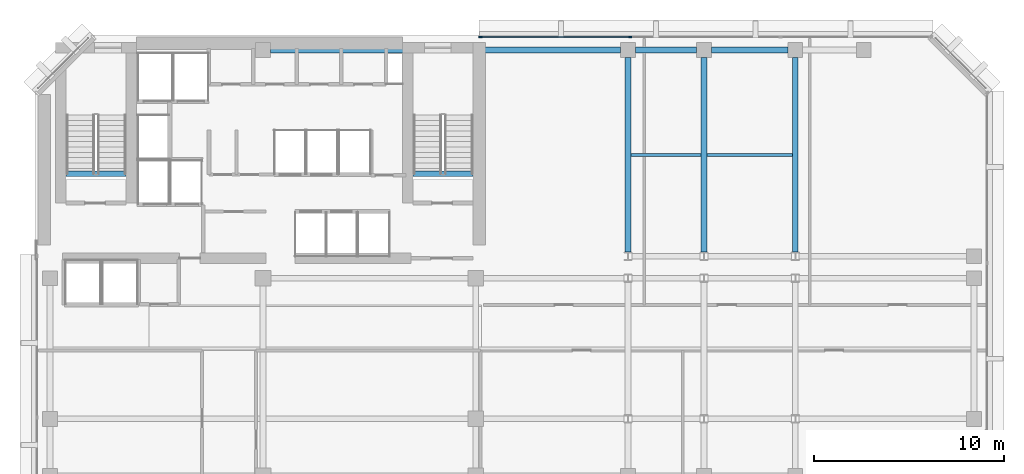
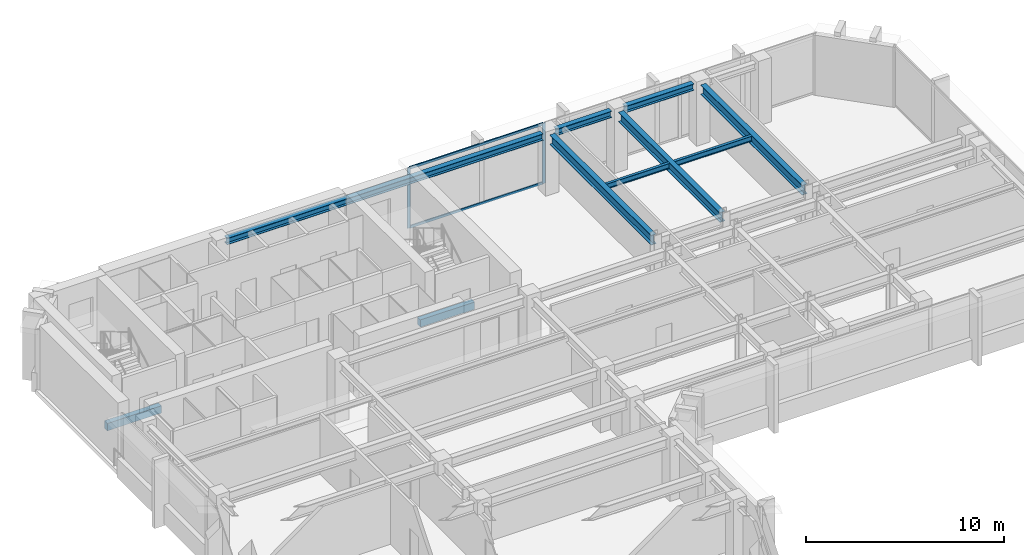
# One storey, part 4 of 12: 10 beams, 4 members, 1 element without a shape of its own.
"""IFC4 building model written with IfcOpenShell, lengths in metres."""

from ifc_helpers import new_model, si_unit, direction, frame, origin, origin_2d, place, context, subcontext, project, spatial, rectangle, i_section, extrude, material, layer, layer_set, material_profile, profile_set, type_object, element, aggregate, save


model = new_model("IFC4")

# Units and contexts
model_context = context("Model", 3, precision=1e-05, world=origin(), true_north=direction((0.0, 1.0)))
body_context = subcontext(model_context, "Body", "Model", "MODEL_VIEW")
ifc_project = project(units=[si_unit("LENGTHUNIT", "METRE"), si_unit("AREAUNIT", "SQUARE_METRE"), si_unit("VOLUMEUNIT", "CUBIC_METRE"), si_unit("PLANEANGLEUNIT", "RADIAN"), si_unit("MASSUNIT", "GRAM", prefix="KILO")], contexts=[model_context])

# Site, building, storey
site_placement = place(None, origin())
site = spatial("IfcSite", under=ifc_project, at=site_placement, CompositionType="ELEMENT")
building_placement = place(site_placement, origin())
building = spatial("IfcBuilding", under=site, at=building_placement, Name="Kefirva Bronze Tower", CompositionType="ELEMENT")
storey_placement = place(building_placement, frame((0.0, 0.0, 203.280029296875)))
storey = spatial("IfcBuildingStorey", under=building, at=storey_placement, Name="L49", CompositionType="ELEMENT", Elevation=203.280029296875)

# Curtain wall, members
ifc_material_1 = material(Name="Bronze anodised aluminium", Category="aluminium")
ifc_layer = layer(ifc_material_1, 0.179931640625, Name="Bronze anodised aluminium")
ifc_layer_set = layer_set([ifc_layer], Name="Bronze anodised aluminium")
curtain_wall_type = type_object("IfcCurtainWallType", Name="Unitised Bronze Ribbon Curtain Wall Zone 3", PredefinedType="USERDEFINED", material=ifc_layer_set)
curtain_wall_placement = place(storey_placement, origin())
curtain_wall = element("IfcCurtainWall", 1, at=curtain_wall_placement, inside=storey, type_object=curtain_wall_type, Name="L49 Curtain Wall 4", ObjectType="UNITISED CURTAIN WALL", PredefinedType="USERDEFINED")
ifc_material_profile_1 = material_profile(ifc_material_1, rectangle(XDim=0.074951171875, YDim=0.179931640625, at=origin_2d()), Name="ALU 75x180")
ifc_profile_set_1 = profile_set([ifc_material_profile_1], Name="Bronze anodised aluminium")
member_type_1 = type_object("IfcMemberType", Name="Bronze Mullion 75x180", PredefinedType="MULLION", material=ifc_profile_set_1)
member_1_placement = place(storey_placement, frame((31.318359375, 45.8798828125, 0.0), z_axis=(0.0, 0.0, 1.0), x_axis=(0.0, -1.0, 0.0)))
member_1 = element("IfcMember", 2, at=member_1_placement, type_object=member_type_1, Name="CW-03 mullion 3", PredefinedType="MULLION", context=body_context, shape_type="SweptSolid", body=[
    extrude(rectangle(XDim=0.074951171875, YDim=0.179931640625, at=origin_2d()), origin(), (0.0, 0.0, 1.0), 3.7099609375),
])
member_2_placement = place(storey_placement, frame((23.4423828125, 45.8798828125, 0.0), z_axis=(0.0, 0.0, 1.0), x_axis=(0.0, -1.0, 0.0)))
member_2 = element("IfcMember", 3, at=member_2_placement, type_object=member_type_1, Name="CW-03 mullion 4", PredefinedType="MULLION", context=body_context, shape_type="SweptSolid", body=[
    extrude(rectangle(XDim=0.074951171875, YDim=0.179931640625, at=origin_2d()), origin(), (0.0, 0.0, 1.0), 3.7099609375),
])
ifc_material_profile_2 = material_profile(ifc_material_1, rectangle(XDim=0.074951171875, YDim=0.14990234375, at=origin_2d()), Name="ALU 75x150")
ifc_profile_set_2 = profile_set([ifc_material_profile_2], Name="Bronze anodised aluminium")
member_type_2 = type_object("IfcMemberType", Name="Bronze Transom 75x150", PredefinedType="USERDEFINED", material=ifc_profile_set_2)
member_3_placement = place(storey_placement, frame((31.28076171875, 45.8798828125, 0.037353515625), z_axis=(-1.0, 0.0, 0.0), x_axis=(0.0, -1.0, 0.0)))
member_3 = element("IfcMember", 4, at=member_3_placement, type_object=member_type_2, Name="CW-03 transom 3.1", ObjectType="TRANSOM", PredefinedType="USERDEFINED", context=body_context, shape_type="SweptSolid", body=[
    extrude(rectangle(XDim=0.074951171875, YDim=0.14990234375, at=origin_2d()), origin(), (0.0, 0.0, 1.0), 7.80078125),
])
member_4_placement = place(storey_placement, frame((31.28076171875, 45.8798828125, 3.67236328125), z_axis=(-1.0, 0.0, 0.0), x_axis=(0.0, -1.0, 0.0)))
member_4 = element("IfcMember", 5, at=member_4_placement, type_object=member_type_2, Name="CW-03 transom 3.2", ObjectType="TRANSOM", PredefinedType="USERDEFINED", context=body_context, shape_type="SweptSolid", body=[
    extrude(rectangle(XDim=0.074951171875, YDim=0.14990234375, at=origin_2d()), origin(), (0.0, 0.0, 1.0), 7.80078125),
])
aggregate(curtain_wall, [member_1, member_2, member_3, member_4])

# Beams
ifc_material_2 = material(Name="Concrete C50/60", Category="concrete")
ifc_material_profile_3 = material_profile(ifc_material_2, rectangle(XDim=0.300048828125, YDim=0.449951171875, at=origin_2d()), Name="RC 300x450")
ifc_profile_set_3 = profile_set([ifc_material_profile_3], Name="Concrete C50/60")
beam_type_1 = type_object("IfcBeamType", Name="RC Stair Trimmer Beam 300x450", PredefinedType="BEAM", material=ifc_profile_set_3)
beam_1_placement = place(storey_placement, frame((1.64501953125, 38.699951171875, -0.22509765625), z_axis=(1.0, 0.0, 0.0), x_axis=(0.0, 1.0, 0.0)))
element("IfcBeam", 6, at=beam_1_placement, inside=storey, type_object=beam_type_1, Name="L49 Stair 1 Landing Trimmer Beam", PredefinedType="BEAM", context=body_context, shape_type="SweptSolid", body=[
    extrude(rectangle(XDim=0.300048828125, YDim=0.449951171875, at=origin_2d()), origin(), (0.0, 0.0, 1.0), 3.14990234375),
])
beam_2_placement = place(storey_placement, frame((19.89501953125, 38.699951171875, -0.22509765625), z_axis=(1.0, 0.0, 0.0), x_axis=(0.0, 1.0, 0.0)))
element("IfcBeam", 7, at=beam_2_placement, inside=storey, type_object=beam_type_1, Name="L49 Stair 2 Landing Trimmer Beam", PredefinedType="BEAM", context=body_context, shape_type="SweptSolid", body=[
    extrude(rectangle(XDim=0.300048828125, YDim=0.449951171875, at=origin_2d()), origin(), (0.0, 0.0, 1.0), 3.159912109375),
])
ifc_material_3 = material(Name="Steel S355", Category="steel")
ifc_material_profile_4 = material_profile(ifc_material_3, i_section(OverallWidth=0.159912109375, OverallDepth=0.330078125, WebThickness=0.007568359375, FlangeThickness=0.011474609375, at=origin_2d()), Name="IPE 330")
ifc_profile_set_4 = profile_set([ifc_material_profile_4], Name="Steel S355")
beam_type_2 = type_object("IfcBeamType", Name="Steel Floor Joist IPE 330", PredefinedType="JOIST", material=ifc_profile_set_4)
beam_3_placement = place(storey_placement, frame((31.35009765625, 39.688720703125, 3.544921875), z_axis=(1.0, 0.0, 0.0), x_axis=(0.0, 1.0, 0.0)))
element("IfcBeam", 8, at=beam_3_placement, inside=storey, type_object=beam_type_2, Name="L49 JST-L49-31-396", PredefinedType="JOIST", context=body_context, shape_type="SweptSolid", body=[
    extrude(i_section(OverallWidth=0.159912109375, OverallDepth=0.330078125, WebThickness=0.007568359375, FlangeThickness=0.011474609375, at=origin_2d()), origin(), (0.0, 0.0, 1.0), 3.699951171875),
])
beam_4_placement = place(storey_placement, frame((35.35009765625, 39.688720703125, 3.544921875), z_axis=(1.0, 0.0, 0.0), x_axis=(0.0, 1.0, 0.0)))
element("IfcBeam", 9, at=beam_4_placement, inside=storey, type_object=beam_type_2, Name="L49 JST-L49-35-396", PredefinedType="JOIST", context=body_context, shape_type="SweptSolid", body=[
    extrude(i_section(OverallWidth=0.159912109375, OverallDepth=0.330078125, WebThickness=0.007568359375, FlangeThickness=0.011474609375, at=origin_2d()), origin(), (0.0, 0.0, 1.0), 4.5),
])
ifc_material_profile_5 = material_profile(ifc_material_3, i_section(OverallWidth=0.300048828125, OverallDepth=0.60009765625, WebThickness=0.015380859375, FlangeThickness=0.030029296875, at=origin_2d()), Name="HEB 600")
ifc_profile_set_5 = profile_set([ifc_material_profile_5], Name="Steel S355")
beam_type_3 = type_object("IfcBeamType", Name="Steel Girder HEB 600", PredefinedType="USERDEFINED", material=ifc_profile_set_5)
for number, where, z_axis, x_axis, name in (
    (10, (31.199951171875, 34.5673828125, 3.409912109375), (0.0, 1.0, 0.0), (-1.0, 0.0, 0.0), "L49 BM-L49-NS-312-34"),
    (11, (35.199951171875, 34.5673828125, 3.409912109375), (0.0, 1.0, 0.0), (-1.0, 0.0, 0.0), "L49 BM-L49-NS-352-34"),
    (12, (40.0, 34.5673828125, 3.409912109375), (0.0, 1.0, 0.0), (-1.0, 0.0, 0.0), "L49 BM-L49-NS-400-34"),
):
    element("IfcBeam", number, at=place(storey_placement, frame(where, z_axis=z_axis, x_axis=x_axis)), inside=storey, type_object=beam_type_3, Name=name, ObjectType="GIRDER", PredefinedType="USERDEFINED", context=body_context, shape_type="SweptSolid", body=[
        extrude(i_section(OverallWidth=0.300048828125, OverallDepth=0.60009765625, WebThickness=0.015380859375, FlangeThickness=0.030029296875, at=origin_2d()), origin(), (0.0, 0.0, 1.0), 10.24267578125),
    ])
ifc_material_profile_6 = material_profile(ifc_material_3, i_section(OverallWidth=0.300048828125, OverallDepth=0.39990234375, WebThickness=0.013427734375, FlangeThickness=0.02392578125, at=origin_2d()), Name="HEB 400")
ifc_profile_set_6 = profile_set([ifc_material_profile_6], Name="Steel S355")
beam_type_4 = type_object("IfcBeamType", Name="Steel Spandrel HEB 400 Ext", PredefinedType="SPANDREL", material=ifc_profile_set_6)
beam_5_placement = place(storey_placement, frame((12.389892578125, 45.199951171875, 3.510009765625), z_axis=(1.0, 0.0, 0.0), x_axis=(0.0, 1.0, 0.0)))
element("IfcBeam", 13, at=beam_5_placement, inside=storey, type_object=beam_type_4, Name="L49 BM-L49-EW-12-452", PredefinedType="SPANDREL", context=body_context, shape_type="SweptSolid", body=[
    extrude(i_section(OverallWidth=0.300048828125, OverallDepth=0.39990234375, WebThickness=0.013427734375, FlangeThickness=0.02392578125, at=origin_2d()), origin(), (0.0, 0.0, 1.0), 18.420166015625),
])
beam_6_placement = place(storey_placement, frame((31.590087890625, 45.199951171875, 3.510009765625), z_axis=(1.0, 0.0, 0.0), x_axis=(0.0, 1.0, 0.0)))
element("IfcBeam", 14, at=beam_6_placement, inside=storey, type_object=beam_type_4, Name="L49 BM-L49-EW-31-452", PredefinedType="SPANDREL", context=body_context, shape_type="SweptSolid", body=[
    extrude(i_section(OverallWidth=0.300048828125, OverallDepth=0.39990234375, WebThickness=0.013427734375, FlangeThickness=0.02392578125, at=origin_2d()), origin(), (0.0, 0.0, 1.0), 3.219970703125),
])
beam_7_placement = place(storey_placement, frame((35.590087890625, 45.199951171875, 3.510009765625), z_axis=(1.0, 0.0, 0.0), x_axis=(0.0, 1.0, 0.0)))
element("IfcBeam", 15, at=beam_7_placement, inside=storey, type_object=beam_type_4, Name="L49 BM-L49-EW-35-452", PredefinedType="SPANDREL", context=body_context, shape_type="SweptSolid", body=[
    extrude(i_section(OverallWidth=0.300048828125, OverallDepth=0.39990234375, WebThickness=0.013427734375, FlangeThickness=0.02392578125, at=origin_2d()), origin(), (0.0, 0.0, 1.0), 4.02001953125),
])

save(model, "model.ifc")
